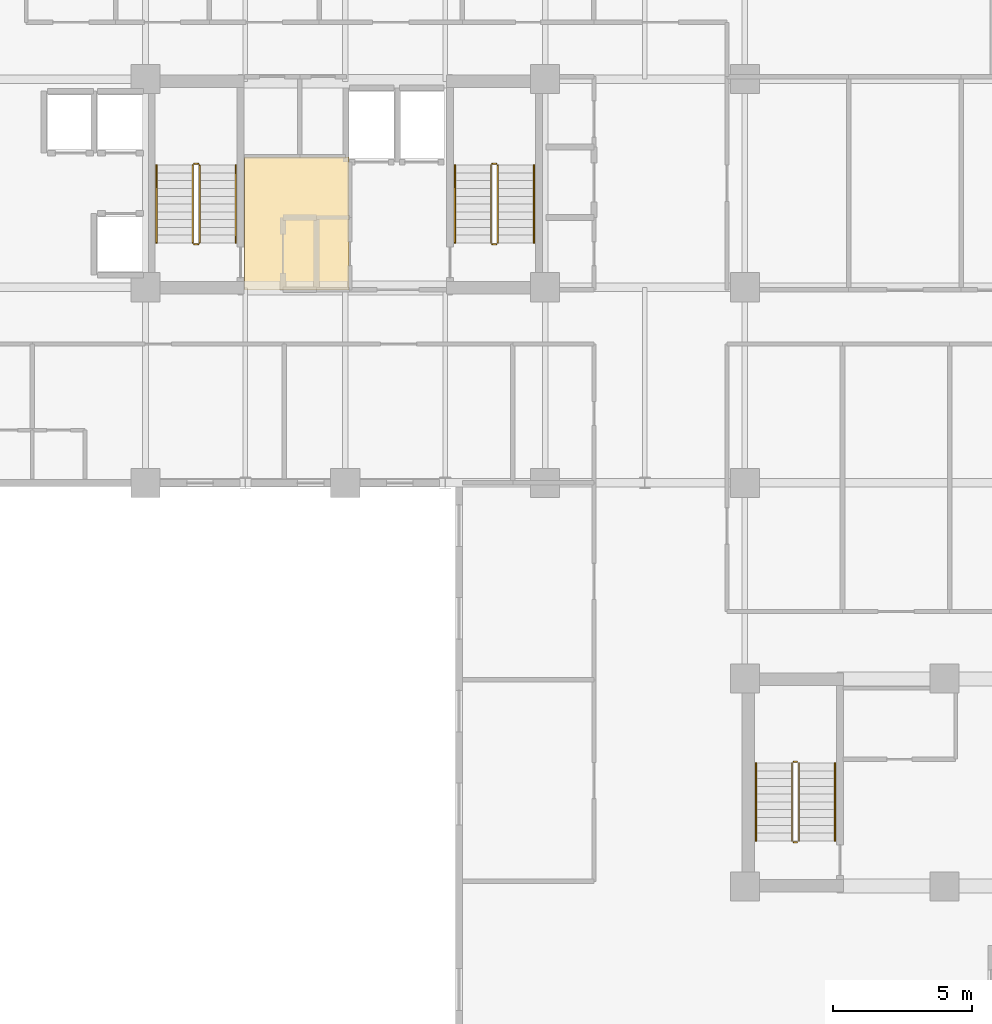
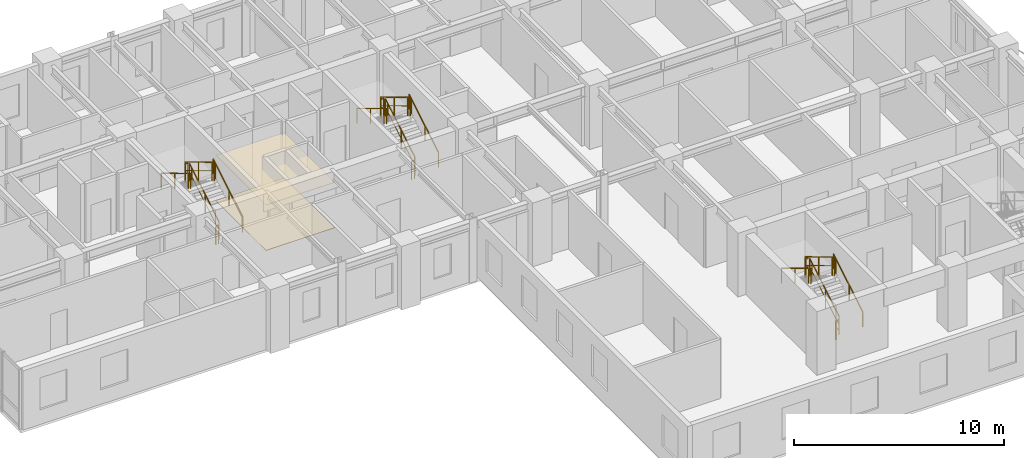
# One storey, part 16 of 18: 18 railings, 2 coverings.
"""IFC4 building model written with IfcOpenShell, lengths in metres."""

import ifcopenshell
import ifcopenshell.guid

model = None  # the IFC model being written
_history = None  # IfcOwnerHistory: only IFC2X3 demands one
_inside = {}  # id of a spatial element -> (the spatial element, [elements in it])
_under = {}  # id of a project, library or spatial element -> (it, [spatial elements below it])
_declared = {}  # id of a project -> (the project, [libraries it declares])
_typed = {}  # id of a type object -> (the type object, [elements of that type])
_made_of = {}  # id of a material, layer set ... -> (it, [elements and type objects made of it])


def new_model(schema):
    """Start an empty IFC model of exactly this schema.

    Asked for "IFC4X3", IfcOpenShell would pick the latest addendum, in which some entities
    have other attributes; the version numbers below select the first issue.
    IFC2X3 requires an IfcOwnerHistory on every rooted entity: one is made here for all.
    """
    global model, _history
    if schema == "IFC4X3":
        model = ifcopenshell.file(schema_version=(4, 3, 0, 0))
    else:
        model = ifcopenshell.file(schema=schema)
    _inside.clear()
    _under.clear()
    _declared.clear()
    _typed.clear()
    _made_of.clear()
    _history = None
    if model.schema == "IFC2X3":
        org = make("IfcOrganization", Name="unknown")
        user = make(
            "IfcPersonAndOrganization",
            ThePerson=make("IfcPerson", FamilyName="unknown"),
            TheOrganization=org,
        )
        app = make(
            "IfcApplication",
            ApplicationDeveloper=org,
            Version="unknown",
            ApplicationFullName="unknown",
            ApplicationIdentifier="unknown",
        )
        _history = make(
            "IfcOwnerHistory",
            OwningUser=user,
            OwningApplication=app,
            ChangeAction="ADDED",
            CreationDate=0,
        )
    return model


def make(cls, **values):
    """One entity of the class cls with the attributes given. An attribute that is None is left unset."""
    return model.create_entity(
        cls, **{name: value for name, value in values.items() if value is not None}
    )


def rooted(cls, **values):
    """An entity with a GlobalId (a new one), such as an element, a storey or a relation."""
    return make(cls, GlobalId=ifcopenshell.guid.new(), OwnerHistory=_history, **values)


def si_unit(unit_type, name, prefix=None):
    """IfcSIUnit, for example si_unit("LENGTHUNIT", "METRE", prefix="MILLI")."""
    return make("IfcSIUnit", UnitType=unit_type, Prefix=prefix, Name=name)


def assignment(units):
    """IfcUnitAssignment: the units of a project."""
    return None if units is None else make("IfcUnitAssignment", Units=units)


def point(xyz):
    """IfcCartesianPoint."""
    return None if xyz is None else make("IfcCartesianPoint", Coordinates=xyz)


def direction(xyz):
    """IfcDirection."""
    return None if xyz is None else make("IfcDirection", DirectionRatios=xyz)


def frame(location, z_axis=None, x_axis=None):
    """IfcAxis2Placement3D, a coordinate frame: its origin and axes. An axis left out is left unset."""
    return make(
        "IfcAxis2Placement3D",
        Location=point(location),
        Axis=direction(z_axis),
        RefDirection=direction(x_axis),
    )


def frame_2d(location, x_axis=None):
    """IfcAxis2Placement2D, a coordinate frame in the plane: its origin and x axis."""
    return make(
        "IfcAxis2Placement2D", Location=point(location), RefDirection=direction(x_axis)
    )


def origin():
    """The frame at (0, 0, 0) with its axes left unset."""
    return frame((0.0, 0.0, 0.0))


def origin_2d():
    """The frame at (0, 0) in the plane with its x axis left unset."""
    return frame_2d((0.0, 0.0))


def place(relative_to, where):
    """IfcLocalPlacement: puts the frame where relative to a parent placement (None: the world)."""
    return make(
        "IfcLocalPlacement", PlacementRelTo=relative_to, RelativePlacement=where
    )


def context(
    kind, dimensions, precision=None, world=None, true_north=None, identifier=None
):
    """IfcGeometricRepresentationContext, for example the 3D "Model" context."""
    return make(
        "IfcGeometricRepresentationContext",
        ContextIdentifier=identifier,
        ContextType=kind,
        CoordinateSpaceDimension=dimensions,
        Precision=precision,
        WorldCoordinateSystem=world,
        TrueNorth=true_north,
    )


def subcontext(parent, identifier, kind, view, scale=None):
    """IfcGeometricRepresentationSubContext, for example "Body" below "Model"."""
    return make(
        "IfcGeometricRepresentationSubContext",
        ContextIdentifier=identifier,
        ContextType=kind,
        ParentContext=parent,
        TargetScale=scale,
        TargetView=view,
    )


def project(units=None, contexts=None):
    """IfcProject with its units and contexts."""
    return rooted(
        "IfcProject",
        Name="project",
        RepresentationContexts=contexts,
        UnitsInContext=assignment(units),
    )


def spatial(cls, under=None, at=None, **own):
    """A site, building, storey or space (cls), placed at a placement, below another one or the project."""
    s = rooted(cls, ObjectPlacement=at, **own)
    if under is not None:
        _under.setdefault(under.id(), (under, []))[1].append(s)
    return s


def profile(cls, at=None, kind="AREA", **sizes):
    """A parametric profile (cls). Its sizes go by their IFC names, for example OverallWidth=200.0."""
    return make(cls, ProfileType=kind, Position=at, **sizes)


def rectangle(**sizes):
    """IfcRectangleProfileDef."""
    return profile("IfcRectangleProfileDef", **sizes)


def extrude(swept, where, along, depth):
    """IfcExtrudedAreaSolid: the profile swept, set in the frame where, extruded along a direction by depth."""
    return make(
        "IfcExtrudedAreaSolid",
        SweptArea=swept,
        Position=where,
        ExtrudedDirection=direction(along),
        Depth=depth,
    )


def shape(context_of_items, identifier, shape_type, items):
    """IfcShapeRepresentation: the items that make up one representation, for example the "Body"."""
    return make(
        "IfcShapeRepresentation",
        ContextOfItems=context_of_items,
        RepresentationIdentifier=identifier,
        RepresentationType=shape_type,
        Items=items,
    )


def source(mapping_origin, context_of_items, identifier, shape_type, items):
    """IfcRepresentationMap: a shape defined once, which mapped items show again and again."""
    return make(
        "IfcRepresentationMap",
        MappingOrigin=mapping_origin,
        MappedRepresentation=shape(context_of_items, identifier, shape_type, items),
    )


def transform(
    local_origin,
    x_axis=None,
    y_axis=None,
    z_axis=None,
    scale=None,
    scale2=None,
    scale3=None,
    uniform=True,
):
    """IfcCartesianTransformationOperator3D, or its non-uniform kind. x_axis, y_axis, z_axis: its Axis1, 2, 3."""
    if uniform:
        return make(
            "IfcCartesianTransformationOperator3D",
            Axis1=direction(x_axis),
            Axis2=direction(y_axis),
            LocalOrigin=point(local_origin),
            Scale=scale,
            Axis3=direction(z_axis),
        )
    return make(
        "IfcCartesianTransformationOperator3DnonUniform",
        Axis1=direction(x_axis),
        Axis2=direction(y_axis),
        LocalOrigin=point(local_origin),
        Scale=scale,
        Axis3=direction(z_axis),
        Scale2=scale2,
        Scale3=scale3,
    )


def mapped(mapping_source, mapping_target):
    """IfcMappedItem: shows the shape of a source again, moved by a transform."""
    return make(
        "IfcMappedItem", MappingSource=mapping_source, MappingTarget=mapping_target
    )


def material(Name=None, Category=None):
    """IfcMaterial."""
    return make("IfcMaterial", Name=Name, Category=Category)


def layer(
    of_material, thickness, ventilated=None, Name=None, Category=None, Priority=None
):
    """IfcMaterialLayer: one layer of a wall or slab, of a material (None: an air gap)."""
    return make(
        "IfcMaterialLayer",
        Material=of_material,
        LayerThickness=thickness,
        IsVentilated=ventilated,
        Name=Name,
        Category=Category,
        Priority=Priority,
    )


def layer_set(layers, Name=None):
    """IfcMaterialLayerSet."""
    return make("IfcMaterialLayerSet", MaterialLayers=layers, LayerSetName=Name)


def made_of(thing, what):
    """Note that an element or type object is made of a material, layer set ...; save() writes the relation."""
    if what is not None:
        _made_of.setdefault(what.id(), (what, []))[1].append(thing)
    return thing


def type_object(cls, material=None, **own):
    """A type object (cls), such as IfcWallType, which elements share."""
    return made_of(rooted(cls, **own), material)


def element(
    cls,
    number,
    at=None,
    inside=None,
    cuts=None,
    type_object=None,
    material=None,
    context=None,
    identifier="Body",
    shape_type=None,
    held_by="IfcProductDefinitionShape",
    body=None,
    shapes=None,
    **own,
):
    """One element of the class cls, such as IfcWall. Its Tag is "e" and its number.

    at: its placement. inside: the storey or other place that contains it. cuts: it is an
    opening in that element (IfcRelVoidsElement). A single representation is given by context,
    identifier, shape_type and body (its items); several are given by shapes. held_by: the class
    of the entity that holds the representations. save() writes the other relations.
    """
    e = rooted(cls, Tag="e%d" % number, ObjectPlacement=at, **own)
    if body is not None:
        shapes = [shape(context, identifier, shape_type, body)]
    if shapes is not None:
        e.Representation = make(held_by, Representations=shapes)
    if inside is not None:
        _inside.setdefault(inside.id(), (inside, []))[1].append(e)
    if cuts is not None:
        rooted(
            "IfcRelVoidsElement", RelatingBuildingElement=cuts, RelatedOpeningElement=e
        )
    if type_object is not None:
        _typed.setdefault(type_object.id(), (type_object, []))[1].append(e)
    return made_of(e, material)


def aggregate(whole, parts):
    """IfcRelAggregates: a whole, such as a stair, and the parts it consists of."""
    return rooted("IfcRelAggregates", RelatingObject=whole, RelatedObjects=parts)


def save(model, path):
    """Write the relations noted so far, then the file.

    IfcRelAggregates (storeys below a building ...), IfcRelContainedInSpatialStructure (elements
    in a storey), IfcRelDefinesByType, IfcRelAssociatesMaterial and IfcRelDeclares: one each for
    every whole, place, type object, material and project.
    """
    for whole, parts in _under.values():
        aggregate(whole, parts)
    for where, things in _inside.values():
        rooted(
            "IfcRelContainedInSpatialStructure",
            RelatedElements=things,
            RelatingStructure=where,
        )
    for kind, things in _typed.values():
        rooted("IfcRelDefinesByType", RelatedObjects=things, RelatingType=kind)
    for what, things in _made_of.values():
        rooted("IfcRelAssociatesMaterial", RelatedObjects=things, RelatingMaterial=what)
    for by, libraries in _declared.values():
        rooted("IfcRelDeclares", RelatingContext=by, RelatedDefinitions=libraries)
    model.write(path)


model = new_model("IFC4")

# Units and contexts
model_context = context("Model", 3, precision=1e-05, world=origin(), true_north=direction((0.0, 1.0)))
body_context = subcontext(model_context, "Body", "Model", "MODEL_VIEW")
ifc_project = project(units=[si_unit("LENGTHUNIT", "METRE"), si_unit("AREAUNIT", "SQUARE_METRE"), si_unit("VOLUMEUNIT", "CUBIC_METRE"), si_unit("PLANEANGLEUNIT", "RADIAN"), si_unit("MASSUNIT", "GRAM", prefix="KILO")], contexts=[model_context])

# Site, building, storey
site_placement = place(None, origin())
site = spatial("IfcSite", under=ifc_project, at=site_placement, CompositionType="ELEMENT")
building_placement = place(site_placement, origin())
building = spatial("IfcBuilding", under=site, at=building_placement, Name="Kaliganga Portal Commons", CompositionType="ELEMENT")
storey_placement = place(building_placement, frame((0.0, 0.0, 169.800048828125)))
storey = spatial("IfcBuildingStorey", under=building, at=storey_placement, Name="L43", CompositionType="ELEMENT", Elevation=169.800048828125)

# Railings
ifc_material_1 = material(Name="Galvanized Painted Steel Balustrade", Category="steel")
railing_type_1 = type_object("IfcRailingType", Name="RLG-STAIR-GRD", PredefinedType="GUARDRAIL", material=ifc_material_1)
railing_1_placement = place(storey_placement, frame((16.35009765625, 30.25, 0.168212890625)))
element("IfcRailing", 1, at=railing_1_placement, inside=storey, type_object=railing_type_1, Name="L43 ST-A1 stair guard 1", PredefinedType="GUARDRAIL", context=body_context, shape_type="SweptSolid", body=[
    extrude(rectangle(XDim=0.048095703125, YDim=0.048095703125, at=origin_2d()), frame((0.0, 0.0, 1.072021484375), z_axis=(0.0, 0.857275202839, 0.514858452973), x_axis=(-1.0, 0.0, 0.0)), (0.0, 0.0, 1.0), 3.26611328125),
    extrude(rectangle(XDim=0.028076171875, YDim=0.028076171875, at=origin_2d()), frame((0.0, 0.0, 0.572021484375), z_axis=(0.0, 0.857275202839, 0.514858452973), x_axis=(-1.0, 0.0, 0.0)), (0.0, 0.0, 1.0), 3.26611328125),
    extrude(rectangle(XDim=0.0419921875, YDim=0.0419921875, at=origin_2d()), origin(), (0.0, 0.0, 1.0), 1.052001953125),
    extrude(rectangle(XDim=0.0419921875, YDim=0.0419921875, at=origin_2d()), frame((0.0, 1.285888671875, 0.772216796875)), (0.0, 0.0, 1.0), 1.052001953125),
    extrude(rectangle(XDim=0.0419921875, YDim=0.0419921875, at=origin_2d()), frame((0.0, 2.57177734375, 1.544677734375)), (0.0, 0.0, 1.0), 1.052001953125),
    extrude(rectangle(XDim=0.0419921875, YDim=0.0419921875, at=origin_2d()), frame((0.0, 2.800048828125, 1.681640625)), (0.0, 0.0, 1.0), 1.052001953125),
])
railing_2_placement = place(storey_placement, frame((16.300048828125, 33.10009765625, 1.849853515625)))
element("IfcRailing", 2, at=railing_2_placement, inside=storey, type_object=railing_type_1, Name="L43 ST-A1 stair guard 2", PredefinedType="GUARDRAIL", context=body_context, shape_type="SweptSolid", body=[
    extrude(rectangle(XDim=0.048095703125, YDim=0.048095703125, at=origin_2d()), frame((0.0, 0.0, 1.076171875), z_axis=(-1.0, 0.0, 0.0), x_axis=(0.0, -1.0, 0.0)), (0.0, 0.0, 1.0), 0.150146484375),
    extrude(rectangle(XDim=0.028076171875, YDim=0.028076171875, at=origin_2d()), frame((0.0, 0.0, 0.572021484375), z_axis=(-1.0, 0.0, 0.0), x_axis=(0.0, -1.0, 0.0)), (0.0, 0.0, 1.0), 0.150146484375),
    extrude(rectangle(XDim=0.0419921875, YDim=0.0419921875, at=origin_2d()), origin(), (0.0, 0.0, 1.0), 1.052001953125),
    extrude(rectangle(XDim=0.0419921875, YDim=0.0419921875, at=origin_2d()), frame((-0.150146484375, 0.0, 0.0)), (0.0, 0.0, 1.0), 1.052001953125),
])
railing_3_placement = place(storey_placement, frame((16.10009765625, 33.050048828125, 2.01806640625)))
element("IfcRailing", 3, at=railing_3_placement, inside=storey, type_object=railing_type_1, Name="L43 ST-A1 stair guard 3", PredefinedType="GUARDRAIL", context=body_context, shape_type="SweptSolid", body=[
    extrude(rectangle(XDim=0.048095703125, YDim=0.048095703125, at=origin_2d()), frame((0.0, 0.0, 1.072021484375), z_axis=(0.0, -0.857242210791, 0.514913383045), x_axis=(1.0, 0.0, 0.0)), (0.0, 0.0, 1.0), 3.266357421875),
    extrude(rectangle(XDim=0.028076171875, YDim=0.028076171875, at=origin_2d()), frame((0.0, 0.0, 0.572021484375), z_axis=(0.0, -0.857242210791, 0.514913383045), x_axis=(1.0, 0.0, 0.0)), (0.0, 0.0, 1.0), 3.266357421875),
    extrude(rectangle(XDim=0.0419921875, YDim=0.0419921875, at=origin_2d()), origin(), (0.0, 0.0, 1.0), 1.052001953125),
    extrude(rectangle(XDim=0.0419921875, YDim=0.0419921875, at=origin_2d()), frame((0.0, -1.285888671875, 0.7724609375)), (0.0, 0.0, 1.0), 1.052001953125),
    extrude(rectangle(XDim=0.0419921875, YDim=0.0419921875, at=origin_2d()), frame((0.0, -2.57177734375, 1.544677734375)), (0.0, 0.0, 1.0), 1.052001953125),
    extrude(rectangle(XDim=0.0419921875, YDim=0.0419921875, at=origin_2d()), frame((0.0, -2.800048828125, 1.681884765625)), (0.0, 0.0, 1.0), 1.052001953125),
])
railing_4_placement = place(storey_placement, frame((16.300048828125, 30.199951171875, 0.0)))
element("IfcRailing", 4, at=railing_4_placement, inside=storey, type_object=railing_type_1, Name="L43 ST-A1 stair guard 4", PredefinedType="GUARDRAIL", context=body_context, shape_type="SweptSolid", body=[
    extrude(rectangle(XDim=0.048095703125, YDim=0.048095703125, at=origin_2d()), frame((0.0, 0.0, 1.076171875), z_axis=(-1.0, 0.0, 0.0), x_axis=(0.0, -1.0, 0.0)), (0.0, 0.0, 1.0), 0.150146484375),
    extrude(rectangle(XDim=0.028076171875, YDim=0.028076171875, at=origin_2d()), frame((0.0, 0.0, 0.572021484375), z_axis=(-1.0, 0.0, 0.0), x_axis=(0.0, -1.0, 0.0)), (0.0, 0.0, 1.0), 0.150146484375),
    extrude(rectangle(XDim=0.0419921875, YDim=0.0419921875, at=origin_2d()), origin(), (0.0, 0.0, 1.0), 1.052001953125),
    extrude(rectangle(XDim=0.0419921875, YDim=0.0419921875, at=origin_2d()), frame((-0.150146484375, 0.0, 0.0)), (0.0, 0.0, 1.0), 1.052001953125),
])
railing_5_placement = place(storey_placement, frame((27.10009765625, 30.25, 0.168212890625)))
element("IfcRailing", 5, at=railing_5_placement, inside=storey, type_object=railing_type_1, Name="L43 ST-A2 stair guard 1", PredefinedType="GUARDRAIL", context=body_context, shape_type="SweptSolid", body=[
    extrude(rectangle(XDim=0.048095703125, YDim=0.048095703125, at=origin_2d()), frame((0.0, 0.0, 1.072021484375), z_axis=(0.0, 0.857275202839, 0.514858452973), x_axis=(-1.0, 0.0, 0.0)), (0.0, 0.0, 1.0), 3.26611328125),
    extrude(rectangle(XDim=0.028076171875, YDim=0.028076171875, at=origin_2d()), frame((0.0, 0.0, 0.572021484375), z_axis=(0.0, 0.857275202839, 0.514858452973), x_axis=(-1.0, 0.0, 0.0)), (0.0, 0.0, 1.0), 3.26611328125),
    extrude(rectangle(XDim=0.0419921875, YDim=0.0419921875, at=origin_2d()), origin(), (0.0, 0.0, 1.0), 1.052001953125),
    extrude(rectangle(XDim=0.0419921875, YDim=0.0419921875, at=origin_2d()), frame((0.0, 1.285888671875, 0.772216796875)), (0.0, 0.0, 1.0), 1.052001953125),
    extrude(rectangle(XDim=0.0419921875, YDim=0.0419921875, at=origin_2d()), frame((0.0, 2.57177734375, 1.544677734375)), (0.0, 0.0, 1.0), 1.052001953125),
    extrude(rectangle(XDim=0.0419921875, YDim=0.0419921875, at=origin_2d()), frame((0.0, 2.800048828125, 1.681640625)), (0.0, 0.0, 1.0), 1.052001953125),
])
railing_6_placement = place(storey_placement, frame((27.050048828125, 33.10009765625, 1.849853515625)))
element("IfcRailing", 6, at=railing_6_placement, inside=storey, type_object=railing_type_1, Name="L43 ST-A2 stair guard 2", PredefinedType="GUARDRAIL", context=body_context, shape_type="SweptSolid", body=[
    extrude(rectangle(XDim=0.048095703125, YDim=0.048095703125, at=origin_2d()), frame((0.0, 0.0, 1.076171875), z_axis=(-1.0, 0.0, 0.0), x_axis=(0.0, -1.0, 0.0)), (0.0, 0.0, 1.0), 0.150146484375),
    extrude(rectangle(XDim=0.028076171875, YDim=0.028076171875, at=origin_2d()), frame((0.0, 0.0, 0.572021484375), z_axis=(-1.0, 0.0, 0.0), x_axis=(0.0, -1.0, 0.0)), (0.0, 0.0, 1.0), 0.150146484375),
    extrude(rectangle(XDim=0.0419921875, YDim=0.0419921875, at=origin_2d()), origin(), (0.0, 0.0, 1.0), 1.052001953125),
    extrude(rectangle(XDim=0.0419921875, YDim=0.0419921875, at=origin_2d()), frame((-0.150146484375, 0.0, 0.0)), (0.0, 0.0, 1.0), 1.052001953125),
])
railing_7_placement = place(storey_placement, frame((26.85009765625, 33.050048828125, 2.01806640625)))
element("IfcRailing", 7, at=railing_7_placement, inside=storey, type_object=railing_type_1, Name="L43 ST-A2 stair guard 3", PredefinedType="GUARDRAIL", context=body_context, shape_type="SweptSolid", body=[
    extrude(rectangle(XDim=0.048095703125, YDim=0.048095703125, at=origin_2d()), frame((0.0, 0.0, 1.072021484375), z_axis=(0.0, -0.857242210791, 0.514913383045), x_axis=(1.0, 0.0, 0.0)), (0.0, 0.0, 1.0), 3.266357421875),
    extrude(rectangle(XDim=0.028076171875, YDim=0.028076171875, at=origin_2d()), frame((0.0, 0.0, 0.572021484375), z_axis=(0.0, -0.857242210791, 0.514913383045), x_axis=(1.0, 0.0, 0.0)), (0.0, 0.0, 1.0), 3.266357421875),
    extrude(rectangle(XDim=0.0419921875, YDim=0.0419921875, at=origin_2d()), origin(), (0.0, 0.0, 1.0), 1.052001953125),
    extrude(rectangle(XDim=0.0419921875, YDim=0.0419921875, at=origin_2d()), frame((0.0, -1.285888671875, 0.7724609375)), (0.0, 0.0, 1.0), 1.052001953125),
    extrude(rectangle(XDim=0.0419921875, YDim=0.0419921875, at=origin_2d()), frame((0.0, -2.57177734375, 1.544677734375)), (0.0, 0.0, 1.0), 1.052001953125),
    extrude(rectangle(XDim=0.0419921875, YDim=0.0419921875, at=origin_2d()), frame((0.0, -2.800048828125, 1.681884765625)), (0.0, 0.0, 1.0), 1.052001953125),
])
railing_8_placement = place(storey_placement, frame((27.050048828125, 30.199951171875, 0.0)))
element("IfcRailing", 8, at=railing_8_placement, inside=storey, type_object=railing_type_1, Name="L43 ST-A2 stair guard 4", PredefinedType="GUARDRAIL", context=body_context, shape_type="SweptSolid", body=[
    extrude(rectangle(XDim=0.048095703125, YDim=0.048095703125, at=origin_2d()), frame((0.0, 0.0, 1.076171875), z_axis=(-1.0, 0.0, 0.0), x_axis=(0.0, -1.0, 0.0)), (0.0, 0.0, 1.0), 0.150146484375),
    extrude(rectangle(XDim=0.028076171875, YDim=0.028076171875, at=origin_2d()), frame((0.0, 0.0, 0.572021484375), z_axis=(-1.0, 0.0, 0.0), x_axis=(0.0, -1.0, 0.0)), (0.0, 0.0, 1.0), 0.150146484375),
    extrude(rectangle(XDim=0.0419921875, YDim=0.0419921875, at=origin_2d()), origin(), (0.0, 0.0, 1.0), 1.052001953125),
    extrude(rectangle(XDim=0.0419921875, YDim=0.0419921875, at=origin_2d()), frame((-0.150146484375, 0.0, 0.0)), (0.0, 0.0, 1.0), 1.052001953125),
])
railing_9_placement = place(storey_placement, frame((37.949951171875, 8.699951171875, 0.168212890625)))
element("IfcRailing", 9, at=railing_9_placement, inside=storey, type_object=railing_type_1, Name="L43 ST-B1 stair guard 1", PredefinedType="GUARDRAIL", context=body_context, shape_type="SweptSolid", body=[
    extrude(rectangle(XDim=0.048095703125, YDim=0.048095703125, at=origin_2d()), frame((0.0, 0.0, 1.072021484375), z_axis=(0.0, 0.857275202839, 0.514858452973), x_axis=(-1.0, 0.0, 0.0)), (0.0, 0.0, 1.0), 3.26611328125),
    extrude(rectangle(XDim=0.028076171875, YDim=0.028076171875, at=origin_2d()), frame((0.0, 0.0, 0.572021484375), z_axis=(0.0, 0.857275202839, 0.514858452973), x_axis=(-1.0, 0.0, 0.0)), (0.0, 0.0, 1.0), 3.26611328125),
    extrude(rectangle(XDim=0.0419921875, YDim=0.0419921875, at=origin_2d()), origin(), (0.0, 0.0, 1.0), 1.052001953125),
    extrude(rectangle(XDim=0.0419921875, YDim=0.0419921875, at=origin_2d()), frame((0.0, 1.285888671875, 0.772216796875)), (0.0, 0.0, 1.0), 1.052001953125),
    extrude(rectangle(XDim=0.0419921875, YDim=0.0419921875, at=origin_2d()), frame((0.0, 2.57177734375, 1.544677734375)), (0.0, 0.0, 1.0), 1.052001953125),
    extrude(rectangle(XDim=0.0419921875, YDim=0.0419921875, at=origin_2d()), frame((0.0, 2.800048828125, 1.681640625)), (0.0, 0.0, 1.0), 1.052001953125),
])
railing_10_placement = place(storey_placement, frame((37.89990234375, 11.550048828125, 1.849853515625)))
element("IfcRailing", 10, at=railing_10_placement, inside=storey, type_object=railing_type_1, Name="L43 ST-B1 stair guard 2", PredefinedType="GUARDRAIL", context=body_context, shape_type="SweptSolid", body=[
    extrude(rectangle(XDim=0.048095703125, YDim=0.048095703125, at=origin_2d()), frame((0.0, 0.0, 1.076171875), z_axis=(-1.0, 0.0, 0.0), x_axis=(0.0, -1.0, 0.0)), (0.0, 0.0, 1.0), 0.14990234375),
    extrude(rectangle(XDim=0.028076171875, YDim=0.028076171875, at=origin_2d()), frame((0.0, 0.0, 0.572021484375), z_axis=(-1.0, 0.0, 0.0), x_axis=(0.0, -1.0, 0.0)), (0.0, 0.0, 1.0), 0.14990234375),
    extrude(rectangle(XDim=0.0419921875, YDim=0.0419921875, at=origin_2d()), frame((-0.14990234375, 0.0, 0.0)), (0.0, 0.0, 1.0), 1.052001953125),
])
railing_11_placement = place(storey_placement, frame((37.699951171875, 11.5, 2.01806640625)))
element("IfcRailing", 11, at=railing_11_placement, inside=storey, type_object=railing_type_1, Name="L43 ST-B1 stair guard 3", PredefinedType="GUARDRAIL", context=body_context, shape_type="SweptSolid", body=[
    extrude(rectangle(XDim=0.048095703125, YDim=0.048095703125, at=origin_2d()), frame((0.0, 0.0, 1.072021484375), z_axis=(0.0, -0.857242210791, 0.514913383045), x_axis=(1.0, 0.0, 0.0)), (0.0, 0.0, 1.0), 3.266357421875),
    extrude(rectangle(XDim=0.028076171875, YDim=0.028076171875, at=origin_2d()), frame((0.0, 0.0, 0.572021484375), z_axis=(0.0, -0.857242210791, 0.514913383045), x_axis=(1.0, 0.0, 0.0)), (0.0, 0.0, 1.0), 3.266357421875),
    extrude(rectangle(XDim=0.0419921875, YDim=0.0419921875, at=origin_2d()), origin(), (0.0, 0.0, 1.0), 1.052001953125),
    extrude(rectangle(XDim=0.0419921875, YDim=0.0419921875, at=origin_2d()), frame((0.0, -1.285888671875, 0.7724609375)), (0.0, 0.0, 1.0), 1.052001953125),
    extrude(rectangle(XDim=0.0419921875, YDim=0.0419921875, at=origin_2d()), frame((0.0, -2.57177734375, 1.544677734375)), (0.0, 0.0, 1.0), 1.052001953125),
    extrude(rectangle(XDim=0.0419921875, YDim=0.0419921875, at=origin_2d()), frame((0.0, -2.800048828125, 1.681884765625)), (0.0, 0.0, 1.0), 1.052001953125),
])
railing_12_placement = place(storey_placement, frame((37.89990234375, 8.64990234375, 0.0)))
element("IfcRailing", 12, at=railing_12_placement, inside=storey, type_object=railing_type_1, Name="L43 ST-B1 stair guard 4", PredefinedType="GUARDRAIL", context=body_context, shape_type="SweptSolid", body=[
    extrude(rectangle(XDim=0.048095703125, YDim=0.048095703125, at=origin_2d()), frame((0.0, 0.0, 1.076171875), z_axis=(-1.0, 0.0, 0.0), x_axis=(0.0, -1.0, 0.0)), (0.0, 0.0, 1.0), 0.14990234375),
    extrude(rectangle(XDim=0.028076171875, YDim=0.028076171875, at=origin_2d()), frame((0.0, 0.0, 0.572021484375), z_axis=(-1.0, 0.0, 0.0), x_axis=(0.0, -1.0, 0.0)), (0.0, 0.0, 1.0), 0.14990234375),
    extrude(rectangle(XDim=0.0419921875, YDim=0.0419921875, at=origin_2d()), frame((-0.14990234375, 0.0, 0.0)), (0.0, 0.0, 1.0), 1.052001953125),
])
ifc_material_2 = material(Name="Brushed Stainless Steel 316", Category="steel")
railing_type_2 = type_object("IfcRailingType", Name="RLG-STAIR-HR", PredefinedType="HANDRAIL", material=ifc_material_2)
railing_13_placement = place(storey_placement, frame((17.64990234375, 30.25, 0.168212890625)))
element("IfcRailing", 13, at=railing_13_placement, inside=storey, type_object=railing_type_2, Name="L43 ST-A1 stair handrail 1", PredefinedType="HANDRAIL", context=body_context, shape_type="SweptSolid", body=[
    extrude(rectangle(XDim=0.048095703125, YDim=0.048095703125, at=origin_2d()), frame((0.0, 0.0, 0.871826171875), z_axis=(0.0, 0.857275202839, 0.514858452973), x_axis=(-1.0, 0.0, 0.0)), (0.0, 0.0, 1.0), 3.26611328125),
    extrude(rectangle(XDim=0.0419921875, YDim=0.0419921875, at=origin_2d()), origin(), (0.0, 0.0, 1.0), 0.851806640625),
    extrude(rectangle(XDim=0.0419921875, YDim=0.0419921875, at=origin_2d()), frame((0.0, 1.285888671875, 0.772216796875)), (0.0, 0.0, 1.0), 0.851806640625),
    extrude(rectangle(XDim=0.0419921875, YDim=0.0419921875, at=origin_2d()), frame((0.0, 2.57177734375, 1.544677734375)), (0.0, 0.0, 1.0), 0.851806640625),
    extrude(rectangle(XDim=0.0419921875, YDim=0.0419921875, at=origin_2d()), frame((0.0, 2.800048828125, 1.681640625)), (0.0, 0.0, 1.0), 0.851806640625),
])
railing_14_placement = place(storey_placement, frame((14.800048828125, 33.050048828125, 2.01806640625)))
element("IfcRailing", 14, at=railing_14_placement, inside=storey, type_object=railing_type_2, Name="L43 ST-A1 stair handrail 2", PredefinedType="HANDRAIL", context=body_context, shape_type="SweptSolid", body=[
    extrude(rectangle(XDim=0.048095703125, YDim=0.048095703125, at=origin_2d()), frame((0.0, 0.0, 0.871826171875), z_axis=(0.0, -0.857242210791, 0.514913383045), x_axis=(1.0, 0.0, 0.0)), (0.0, 0.0, 1.0), 3.266357421875),
    extrude(rectangle(XDim=0.0419921875, YDim=0.0419921875, at=origin_2d()), origin(), (0.0, 0.0, 1.0), 0.851806640625),
    extrude(rectangle(XDim=0.0419921875, YDim=0.0419921875, at=origin_2d()), frame((0.0, -1.285888671875, 0.7724609375)), (0.0, 0.0, 1.0), 0.851806640625),
    extrude(rectangle(XDim=0.0419921875, YDim=0.0419921875, at=origin_2d()), frame((0.0, -2.57177734375, 1.544677734375)), (0.0, 0.0, 1.0), 0.851806640625),
    extrude(rectangle(XDim=0.0419921875, YDim=0.0419921875, at=origin_2d()), frame((0.0, -2.800048828125, 1.681884765625)), (0.0, 0.0, 1.0), 0.851806640625),
])
railing_15_placement = place(storey_placement, frame((28.39990234375, 30.25, 0.168212890625)))
element("IfcRailing", 15, at=railing_15_placement, inside=storey, type_object=railing_type_2, Name="L43 ST-A2 stair handrail 1", PredefinedType="HANDRAIL", context=body_context, shape_type="SweptSolid", body=[
    extrude(rectangle(XDim=0.048095703125, YDim=0.048095703125, at=origin_2d()), frame((0.0, 0.0, 0.871826171875), z_axis=(0.0, 0.857275202839, 0.514858452973), x_axis=(-1.0, 0.0, 0.0)), (0.0, 0.0, 1.0), 3.26611328125),
    extrude(rectangle(XDim=0.0419921875, YDim=0.0419921875, at=origin_2d()), origin(), (0.0, 0.0, 1.0), 0.851806640625),
    extrude(rectangle(XDim=0.0419921875, YDim=0.0419921875, at=origin_2d()), frame((0.0, 1.285888671875, 0.772216796875)), (0.0, 0.0, 1.0), 0.851806640625),
    extrude(rectangle(XDim=0.0419921875, YDim=0.0419921875, at=origin_2d()), frame((0.0, 2.57177734375, 1.544677734375)), (0.0, 0.0, 1.0), 0.851806640625),
    extrude(rectangle(XDim=0.0419921875, YDim=0.0419921875, at=origin_2d()), frame((0.0, 2.800048828125, 1.681640625)), (0.0, 0.0, 1.0), 0.851806640625),
])
railing_16_placement = place(storey_placement, frame((25.550048828125, 33.050048828125, 2.01806640625)))
element("IfcRailing", 16, at=railing_16_placement, inside=storey, type_object=railing_type_2, Name="L43 ST-A2 stair handrail 2", PredefinedType="HANDRAIL", context=body_context, shape_type="SweptSolid", body=[
    extrude(rectangle(XDim=0.048095703125, YDim=0.048095703125, at=origin_2d()), frame((0.0, 0.0, 0.871826171875), z_axis=(0.0, -0.857242210791, 0.514913383045), x_axis=(1.0, 0.0, 0.0)), (0.0, 0.0, 1.0), 3.266357421875),
    extrude(rectangle(XDim=0.0419921875, YDim=0.0419921875, at=origin_2d()), origin(), (0.0, 0.0, 1.0), 0.851806640625),
    extrude(rectangle(XDim=0.0419921875, YDim=0.0419921875, at=origin_2d()), frame((0.0, -1.285888671875, 0.7724609375)), (0.0, 0.0, 1.0), 0.851806640625),
    extrude(rectangle(XDim=0.0419921875, YDim=0.0419921875, at=origin_2d()), frame((0.0, -2.57177734375, 1.544677734375)), (0.0, 0.0, 1.0), 0.851806640625),
    extrude(rectangle(XDim=0.0419921875, YDim=0.0419921875, at=origin_2d()), frame((0.0, -2.800048828125, 1.681884765625)), (0.0, 0.0, 1.0), 0.851806640625),
])
railing_17_placement = place(storey_placement, frame((39.25, 8.699951171875, 0.168212890625)))
element("IfcRailing", 17, at=railing_17_placement, inside=storey, type_object=railing_type_2, Name="L43 ST-B1 stair handrail 1", PredefinedType="HANDRAIL", context=body_context, shape_type="SweptSolid", body=[
    extrude(rectangle(XDim=0.048095703125, YDim=0.048095703125, at=origin_2d()), frame((0.0, 0.0, 0.871826171875), z_axis=(0.0, 0.857275202839, 0.514858452973), x_axis=(-1.0, 0.0, 0.0)), (0.0, 0.0, 1.0), 3.26611328125),
    extrude(rectangle(XDim=0.0419921875, YDim=0.0419921875, at=origin_2d()), origin(), (0.0, 0.0, 1.0), 0.851806640625),
    extrude(rectangle(XDim=0.0419921875, YDim=0.0419921875, at=origin_2d()), frame((0.0, 1.285888671875, 0.772216796875)), (0.0, 0.0, 1.0), 0.851806640625),
    extrude(rectangle(XDim=0.0419921875, YDim=0.0419921875, at=origin_2d()), frame((0.0, 2.57177734375, 1.544677734375)), (0.0, 0.0, 1.0), 0.851806640625),
    extrude(rectangle(XDim=0.0419921875, YDim=0.0419921875, at=origin_2d()), frame((0.0, 2.800048828125, 1.681640625)), (0.0, 0.0, 1.0), 0.851806640625),
])
railing_18_placement = place(storey_placement, frame((36.39990234375, 11.5, 2.01806640625)))
element("IfcRailing", 18, at=railing_18_placement, inside=storey, type_object=railing_type_2, Name="L43 ST-B1 stair handrail 2", PredefinedType="HANDRAIL", context=body_context, shape_type="SweptSolid", body=[
    extrude(rectangle(XDim=0.048095703125, YDim=0.048095703125, at=origin_2d()), frame((0.0, 0.0, 0.871826171875), z_axis=(0.0, -0.857242210791, 0.514913383045), x_axis=(1.0, 0.0, 0.0)), (0.0, 0.0, 1.0), 3.266357421875),
    extrude(rectangle(XDim=0.0419921875, YDim=0.0419921875, at=origin_2d()), origin(), (0.0, 0.0, 1.0), 0.851806640625),
    extrude(rectangle(XDim=0.0419921875, YDim=0.0419921875, at=origin_2d()), frame((0.0, -1.285888671875, 0.7724609375)), (0.0, 0.0, 1.0), 0.851806640625),
    extrude(rectangle(XDim=0.0419921875, YDim=0.0419921875, at=origin_2d()), frame((0.0, -2.57177734375, 1.544677734375)), (0.0, 0.0, 1.0), 0.851806640625),
    extrude(rectangle(XDim=0.0419921875, YDim=0.0419921875, at=origin_2d()), frame((0.0, -2.800048828125, 1.681884765625)), (0.0, 0.0, 1.0), 0.851806640625),
])

# Coverings
ifc_material_3 = material(Name="Acoustic Micro-Perforated Gypsum Ceiling", Category="gypsum")
ifc_layer_1 = layer(ifc_material_3, 0.02001953125)
ifc_layer_set_1 = layer_set([ifc_layer_1], Name="Acoustic Micro-Perforated Gypsum Ceiling")
covering_type_1 = type_object("IfcCoveringType", Name="COV-CEIL-GYP", PredefinedType="CEILING", material=ifc_layer_set_1)
shared_shape_1 = source(origin(), body_context, "Body", "SweptSolid", [
    extrude(rectangle(XDim=3.780029296875, YDim=4.780029296875, at=origin_2d()), origin(), (0.0, 0.0, 1.0), 0.02001953125),
])
covering_1_placement = place(storey_placement, frame((19.85009765625, 30.949951171875, 2.639892578125), z_axis=(0.0, 0.0, 1.0), x_axis=(1.0, 0.0, 0.0)))
element("IfcCovering", 19, at=covering_1_placement, inside=storey, type_object=covering_type_1, Name="Acoustic Ceiling L43 PLOB_A", PredefinedType="CEILING", context=body_context, shape_type="MappedRepresentation", body=[
    mapped(shared_shape_1, transform((0.0, 0.0, 0.0), x_axis=(1.0, 0.0, 0.0), y_axis=(0.0, 1.0, 0.0), z_axis=(0.0, 0.0, 1.0), scale=1.0)),
])
ifc_material_4 = material(Name="Polished Sylhet Stone Terrazzo Flooring", Category="masonry")
ifc_layer_2 = layer(ifc_material_4, 0.02490234375)
ifc_layer_set_2 = layer_set([ifc_layer_2], Name="Polished Sylhet Stone Terrazzo Flooring")
covering_type_2 = type_object("IfcCoveringType", Name="COV-FLR-TERRAZZO", PredefinedType="FLOORING", material=ifc_layer_set_2)
shared_shape_2 = source(origin(), body_context, "Body", "SweptSolid", [
    extrude(rectangle(XDim=3.780029296875, YDim=4.780029296875, at=origin_2d()), origin(), (0.0, 0.0, 1.0), 0.02490234375),
])
covering_2_placement = place(storey_placement, frame((19.85009765625, 30.949951171875, 0.00048828125), z_axis=(0.0, 0.0, 1.0), x_axis=(1.0, 0.0, 0.0)))
element("IfcCovering", 20, at=covering_2_placement, inside=storey, type_object=covering_type_2, Name="Terrazzo Flooring L43 PLOB_A", PredefinedType="FLOORING", context=body_context, shape_type="MappedRepresentation", body=[
    mapped(shared_shape_2, transform((0.0, 0.0, 0.0), x_axis=(1.0, 0.0, 0.0), y_axis=(0.0, 1.0, 0.0), z_axis=(0.0, 0.0, 1.0), scale=1.0)),
])

save(model, "model.ifc")
